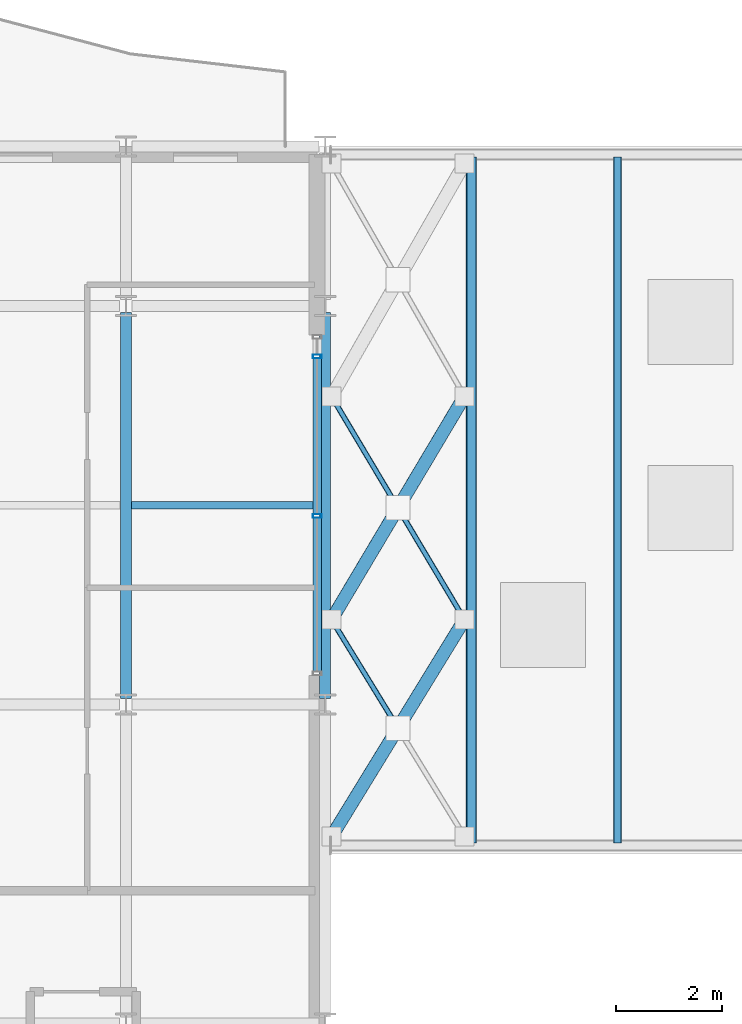
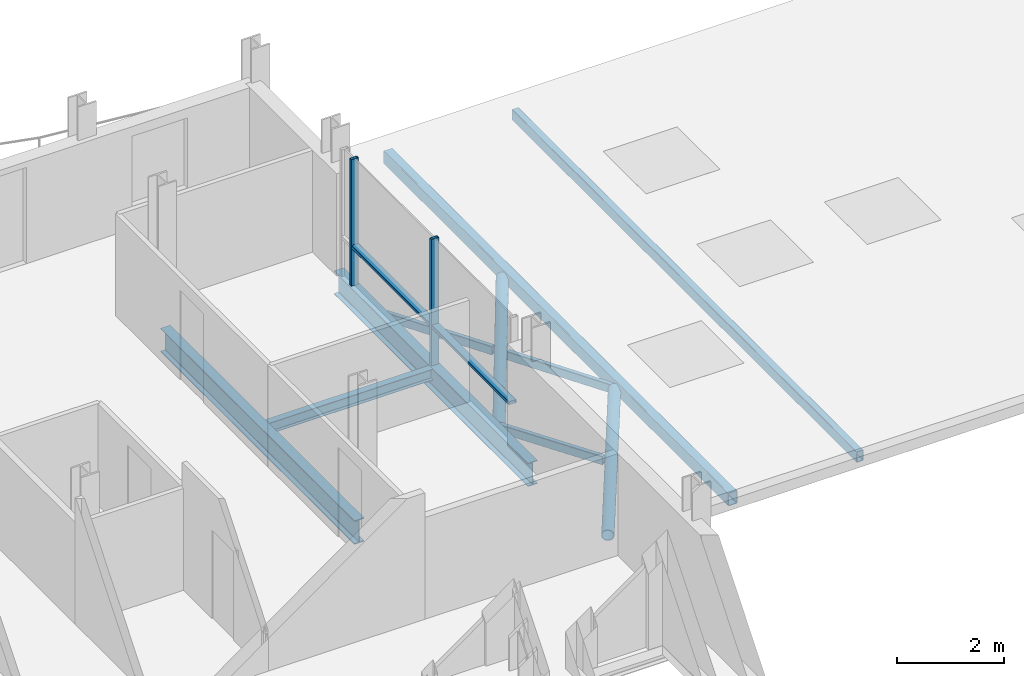
# One storey, part 9 of 33: 11 members, 3 beams, 1 element without a shape of its own.
"""IFC4 building model written with IfcOpenShell, lengths in metres."""

from ifc_helpers import new_model, si_unit, direction, frame, origin, origin_2d, place, context, subcontext, project, spatial, hollow_rectangle, hollow_circle, i_section, extrude, material, layer, layer_set, material_profile, profile_set, type_object, element, aggregate, save


model = new_model("IFC4")

# Units and contexts
model_context = context("Model", 3, precision=1e-05, world=origin(), true_north=direction((0.0, 1.0)))
body_context = subcontext(model_context, "Body", "Model", "MODEL_VIEW")
ifc_project = project(units=[si_unit("LENGTHUNIT", "METRE"), si_unit("AREAUNIT", "SQUARE_METRE"), si_unit("VOLUMEUNIT", "CUBIC_METRE"), si_unit("PLANEANGLEUNIT", "RADIAN"), si_unit("MASSUNIT", "GRAM", prefix="KILO")], contexts=[model_context])

# Site, building, storey
site_placement = place(None, origin())
site = spatial("IfcSite", under=ifc_project, at=site_placement, CompositionType="ELEMENT")
building_placement = place(site_placement, origin())
building = spatial("IfcBuilding", under=site, at=building_placement, Name="Brevholm Reach", CompositionType="ELEMENT")
storey_placement = place(building_placement, frame((0.0, 0.0, 189.39990234375)))
storey = spatial("IfcBuildingStorey", under=building, at=storey_placement, Name="L57", CompositionType="ELEMENT", Elevation=189.39990234375)

# Beams
ifc_material_1 = material(Name="Structural Steel S355J2", Category="steel")
ifc_material_profile_1 = material_profile(ifc_material_1, i_section(OverallWidth=0.14599609375, OverallDepth=0.25146484375, WebThickness=0.006103515625, FlangeThickness=0.008544921875, FilletRadius=0.007568359375, at=origin_2d()), Name="UKB 254x146x31")
ifc_profile_set_1 = profile_set([ifc_material_profile_1], Name="Structural Steel S355J2")
beam_type_1 = type_object("IfcBeamType", Name="BM-B254", PredefinedType="BEAM", material=ifc_profile_set_1)
beam_1_placement = place(storey_placement, frame((18.10546875, 19.75, -0.335693359375), z_axis=(1.0, 0.0, 0.0), x_axis=(0.0, 1.0, 0.0)))
element("IfcBeam", 1, at=beam_1_placement, inside=storey, type_object=beam_type_1, Name="L57 Composite Secondary Floor Beam", PredefinedType="BEAM", context=body_context, shape_type="SweptSolid", body=[
    extrude(i_section(OverallWidth=0.14599609375, OverallDepth=0.25146484375, WebThickness=0.006103515625, FlangeThickness=0.008544921875, FilletRadius=0.007568359375, at=origin_2d()), origin(), (0.0, 0.0, 1.0), 3.539794921875),
])
ifc_material_2 = material(Name="Structural Steel S355J2", Category="steel")
ifc_material_profile_2 = material_profile(ifc_material_2, i_section(OverallWidth=0.209228515625, OverallDepth=0.533203125, WebThickness=0.010009765625, FlangeThickness=0.015625, FilletRadius=0.0126953125, at=origin_2d()), Name="UKB 533x210x92")
ifc_profile_set_2 = profile_set([ifc_material_profile_2], Name="Structural Steel S355J2")
beam_type_2 = type_object("IfcBeamType", Name="BM-SP533", PredefinedType="SPANDREL", material=ifc_profile_set_2)
beam_2_placement = place(storey_placement, frame((21.75, 16.1201171875, -0.4765625), z_axis=(0.0, 1.0, 0.0), x_axis=(-1.0, 0.0, 0.0)))
element("IfcBeam", 2, at=beam_2_placement, inside=storey, type_object=beam_type_2, Name="L57 SP-02 Framing Beam", PredefinedType="SPANDREL", context=body_context, shape_type="SweptSolid", body=[
    extrude(i_section(OverallWidth=0.209228515625, OverallDepth=0.533203125, WebThickness=0.010009765625, FlangeThickness=0.015625, FilletRadius=0.0126953125, at=origin_2d()), origin(), (0.0, 0.0, 1.0), 7.259765625),
])
ifc_material_3 = material(Name="Structural Steel S355J2", Category="steel")
ifc_material_profile_3 = material_profile(ifc_material_3, i_section(OverallWidth=0.210693359375, OverallDepth=0.53955078125, WebThickness=0.01171875, FlangeThickness=0.018798828125, FilletRadius=0.0126953125, at=origin_2d()), Name="UKB 533x210x109")
ifc_profile_set_3 = profile_set([ifc_material_profile_3], Name="Structural Steel S355J2")
beam_type_3 = type_object("IfcBeamType", Name="BM-SP539", PredefinedType="SPANDREL", material=ifc_profile_set_3)
beam_3_placement = place(storey_placement, frame((18.0, 16.1201171875, -0.479736328125), z_axis=(0.0, 1.0, 0.0), x_axis=(-1.0, 0.0, 0.0)))
element("IfcBeam", 3, at=beam_3_placement, inside=storey, type_object=beam_type_3, Name="L57 SP-01B Framing Beam", PredefinedType="SPANDREL", context=body_context, shape_type="SweptSolid", body=[
    extrude(i_section(OverallWidth=0.210693359375, OverallDepth=0.53955078125, WebThickness=0.01171875, FlangeThickness=0.018798828125, FilletRadius=0.0126953125, at=origin_2d()), origin(), (0.0, 0.0, 1.0), 7.259765625),
])

# Curtain wall, members
ifc_material_4 = material(Name="Dark Anodised Aluminium 6063-T6 and Solar-Control Glass", Category="aluminium")
ifc_layer = layer(ifc_material_4, 0.1650390625)
ifc_layer_set = layer_set([ifc_layer], Name="Dark Anodised Aluminium 6063-T6 and Solar-Control Glass")
curtain_wall_type = type_object("IfcCurtainWallType", Name="CW-04", PredefinedType="NOTDEFINED", material=ifc_layer_set)
curtain_wall_placement = place(storey_placement, origin())
curtain_wall = element("IfcCurtainWall", 4, at=curtain_wall_placement, inside=storey, type_object=curtain_wall_type, Name="L57 Curtain Wall CW-04", PredefinedType="NOTDEFINED")
ifc_material_5 = material(Name="Dark Anodised Aluminium 6063-T6", Category="aluminium")
ifc_material_profile_4 = material_profile(ifc_material_5, hollow_rectangle(XDim=0.070068359375, YDim=0.1650390625, WallThickness=0.0048828125, InnerFilletRadius=0.0048828125, OuterFilletRadius=0.010009765625, at=origin_2d()), Name="RHS 165x70x5")
ifc_profile_set_4 = profile_set([ifc_material_profile_4], Name="Dark Anodised Aluminium 6063-T6")
member_type_1 = type_object("IfcMemberType", Name="CWM-165", PredefinedType="MULLION", material=ifc_profile_set_4)
member_1_placement = place(storey_placement, frame((21.60009765625, 19.550048828125, 0.0), z_axis=(0.0, 0.0, 1.0), x_axis=(0.0, 1.0, 0.0)))
member_1 = element("IfcMember", 5, at=member_1_placement, type_object=member_type_1, Name="CM-165 Mullion 2", PredefinedType="MULLION", context=body_context, shape_type="SweptSolid", body=[
    extrude(hollow_rectangle(XDim=0.070068359375, YDim=0.1650390625, WallThickness=0.0048828125, InnerFilletRadius=0.0048828125, OuterFilletRadius=0.010009765625, at=origin_2d()), origin(), (0.0, 0.0, 1.0), 2.89013671875),
])
member_2_placement = place(storey_placement, frame((21.60009765625, 22.550048828125, 0.0), z_axis=(0.0, 0.0, 1.0), x_axis=(0.0, 1.0, 0.0)))
member_2 = element("IfcMember", 6, at=member_2_placement, type_object=member_type_1, Name="CM-165 Mullion 3", PredefinedType="MULLION", context=body_context, shape_type="SweptSolid", body=[
    extrude(hollow_rectangle(XDim=0.070068359375, YDim=0.1650390625, WallThickness=0.0048828125, InnerFilletRadius=0.0048828125, OuterFilletRadius=0.010009765625, at=origin_2d()), origin(), (0.0, 0.0, 1.0), 2.89013671875),
])
ifc_material_6 = material(Name="Dark Anodised Aluminium 6063-T6", Category="aluminium")
ifc_material_profile_5 = material_profile(ifc_material_6, hollow_rectangle(XDim=0.070068359375, YDim=0.1650390625, WallThickness=0.0048828125, InnerFilletRadius=0.0048828125, OuterFilletRadius=0.010009765625, at=origin_2d()), Name="RHS 165x70x5")
ifc_profile_set_5 = profile_set([ifc_material_profile_5], Name="Dark Anodised Aluminium 6063-T6")
member_type_2 = type_object("IfcMemberType", Name="CWT-165", PredefinedType="NOTDEFINED", material=ifc_profile_set_5)
member_3_placement = place(storey_placement, frame((21.60009765625, 16.6201171875, 0.900146484375), z_axis=(0.0, 1.0, 0.0), x_axis=(0.0, 0.0, 1.0)))
member_3 = element("IfcMember", 7, at=member_3_placement, type_object=member_type_2, Name="CT-165 Transom 1.1", ObjectType="TRANSOM", PredefinedType="USERDEFINED", context=body_context, shape_type="SweptSolid", body=[
    extrude(hollow_rectangle(XDim=0.070068359375, YDim=0.1650390625, WallThickness=0.0048828125, InnerFilletRadius=0.0048828125, OuterFilletRadius=0.010009765625, at=origin_2d()), origin(), (0.0, 0.0, 1.0), 2.894775390625),
])
member_4_placement = place(storey_placement, frame((21.60009765625, 19.5849609375, 0.900146484375), z_axis=(0.0, 1.0, 0.0), x_axis=(0.0, 0.0, 1.0)))
member_4 = element("IfcMember", 8, at=member_4_placement, type_object=member_type_2, Name="CT-165 Transom 2.1", ObjectType="TRANSOM", PredefinedType="USERDEFINED", context=body_context, shape_type="SweptSolid", body=[
    extrude(hollow_rectangle(XDim=0.070068359375, YDim=0.1650390625, WallThickness=0.0048828125, InnerFilletRadius=0.0048828125, OuterFilletRadius=0.010009765625, at=origin_2d()), origin(), (0.0, 0.0, 1.0), 2.929931640625),
])
aggregate(curtain_wall, [member_1, member_2, member_3, member_4])

# Members
ifc_material_7 = material(Name="Structural Steel S355J2H", Category="steel")
ifc_material_profile_6 = material_profile(ifc_material_7, hollow_circle(Radius=0.122314453125, WallThickness=0.010009765625, at=origin_2d()), Name="CHS 244.5x10")
ifc_profile_set_6 = profile_set([ifc_material_profile_6], Name="Structural Steel S355J2H")
member_type_3 = type_object("IfcMemberType", Name="MEM-BR-CHS244", PredefinedType="BRACE", material=ifc_profile_set_6)
member_5_placement = place(storey_placement, frame((21.8701171875, 13.52001953125, -0.35498046875), z_axis=(0.522456769718, 0.852665774953, 0.0), x_axis=(-0.852665774953, 0.522456769718, 0.0)))
element("IfcMember", 9, at=member_5_placement, inside=storey, type_object=member_type_3, Name="L57 Skylight Plan Wind Brace 1", PredefinedType="BRACE", context=body_context, shape_type="SweptSolid", body=[
    extrude(hollow_circle(Radius=0.122314453125, WallThickness=0.010009765625, at=origin_2d()), origin(), (0.0, 0.0, 1.0), 4.78515625),
])
member_6_placement = place(storey_placement, frame((21.8701171875, 17.60009765625, -0.35498046875), z_axis=(0.511488250512, 0.859290270856, 0.0), x_axis=(-0.859290270856, 0.511488250512, 0.0)))
element("IfcMember", 10, at=member_6_placement, inside=storey, type_object=member_type_3, Name="L57 Skylight Plan Wind Brace 2", PredefinedType="BRACE", context=body_context, shape_type="SweptSolid", body=[
    extrude(hollow_circle(Radius=0.122314453125, WallThickness=0.010009765625, at=origin_2d()), origin(), (0.0, 0.0, 1.0), 4.8876953125),
])
ifc_material_8 = material(Name="Structural Steel S355J2H", Category="steel")
ifc_material_profile_7 = material_profile(ifc_material_8, hollow_rectangle(XDim=0.10009765625, YDim=0.199951171875, WallThickness=0.008056640625, InnerFilletRadius=0.008056640625, OuterFilletRadius=0.01611328125, at=origin_2d()), Name="RHS 200x100x8")
ifc_profile_set_7 = profile_set([ifc_material_profile_7], Name="Structural Steel S355J2H")
member_type_4 = type_object("IfcMemberType", Name="MEM-BR-RHS200", PredefinedType="BRACE", material=ifc_profile_set_7)
member_7_placement = place(storey_placement, frame((21.8701171875, 17.60009765625, -0.35498046875), z_axis=(0.522369729147, -0.852719101505, 0.0), x_axis=(0.852719101505, 0.522369729147, 0.0)))
element("IfcMember", 11, at=member_7_placement, inside=storey, type_object=member_type_4, Name="L57 Skylight Secondary Wind Tie 1A", PredefinedType="BRACE", context=body_context, shape_type="SweptSolid", body=[
    extrude(hollow_rectangle(XDim=0.10009765625, YDim=0.199951171875, WallThickness=0.008056640625, InnerFilletRadius=0.008056640625, OuterFilletRadius=0.01611328125, at=origin_2d()), origin(), (0.0, 0.0, 1.0), 2.232666015625),
])
member_8_placement = place(storey_placement, frame((21.8701171875, 21.800048828125, -0.35498046875), z_axis=(0.511395529399, -0.859345455862, 0.0), x_axis=(0.859345455862, 0.511395529399, 0.0)))
element("IfcMember", 12, at=member_8_placement, inside=storey, type_object=member_type_4, Name="L57 Skylight Secondary Wind Tie 2A", PredefinedType="BRACE", context=body_context, shape_type="SweptSolid", body=[
    extrude(hollow_rectangle(XDim=0.10009765625, YDim=0.199951171875, WallThickness=0.008056640625, InnerFilletRadius=0.008056640625, OuterFilletRadius=0.01611328125, at=origin_2d()), origin(), (0.0, 0.0, 1.0), 2.283935546875),
])
member_9_placement = place(storey_placement, frame((23.201904296875, 19.5625, -0.35498046875), z_axis=(0.511521446917, -0.859270509993, 0.0), x_axis=(0.859270509993, 0.511521446917, 0.0)))
element("IfcMember", 13, at=member_9_placement, inside=storey, type_object=member_type_4, Name="L57 Skylight Secondary Wind Tie 2B", PredefinedType="BRACE", context=body_context, shape_type="SweptSolid", body=[
    extrude(hollow_rectangle(XDim=0.10009765625, YDim=0.199951171875, WallThickness=0.008056640625, InnerFilletRadius=0.008056640625, OuterFilletRadius=0.01611328125, at=origin_2d()), origin(), (0.0, 0.0, 1.0), 2.28369140625),
])
ifc_material_9 = material(Name="Structural Steel S355J2H", Category="steel")
ifc_material_profile_8 = material_profile(ifc_material_9, hollow_rectangle(XDim=0.14990234375, YDim=0.25, WallThickness=0.010009765625, InnerFilletRadius=0.010009765625, OuterFilletRadius=0.02001953125, at=origin_2d()), Name="RHS 250x150x10")
ifc_profile_set_8 = profile_set([ifc_material_profile_8], Name="Structural Steel S355J2H")
member_type_5 = type_object("IfcMemberType", Name="MEM-CH-RHS250", PredefinedType="CHORD", material=ifc_profile_set_8)
member_10_placement = place(storey_placement, frame((27.25, 13.39990234375, -0.35498046875), z_axis=(0.0, 1.0, 0.0), x_axis=(-1.0, 0.0, 0.0)))
element("IfcMember", 14, at=member_10_placement, inside=storey, type_object=member_type_5, Name="L57 Atrium Skylight Purlin Chord 2", PredefinedType="CHORD", context=body_context, shape_type="SweptSolid", body=[
    extrude(hollow_rectangle(XDim=0.14990234375, YDim=0.25, WallThickness=0.010009765625, InnerFilletRadius=0.010009765625, OuterFilletRadius=0.02001953125, at=origin_2d()), origin(), (0.0, 0.0, 1.0), 12.900146484375),
])
ifc_material_10 = material(Name="Structural Steel S355J2H", Category="steel")
ifc_material_profile_9 = material_profile(ifc_material_10, hollow_rectangle(XDim=0.199951171875, YDim=0.300048828125, WallThickness=0.012451171875, InnerFilletRadius=0.011962890625, OuterFilletRadius=0.02392578125, at=origin_2d()), Name="RHS 300x200x12.5")
ifc_profile_set_9 = profile_set([ifc_material_profile_9], Name="Structural Steel S355J2H")
member_type_6 = type_object("IfcMemberType", Name="MEM-CH-RHS300", PredefinedType="CHORD", material=ifc_profile_set_9)
member_11_placement = place(storey_placement, frame((24.5, 13.39990234375, -0.35498046875), z_axis=(0.0, 1.0, 0.0), x_axis=(-1.0, 0.0, 0.0)))
element("IfcMember", 15, at=member_11_placement, inside=storey, type_object=member_type_6, Name="L57 Atrium Skylight Purlin Chord 1", PredefinedType="CHORD", context=body_context, shape_type="SweptSolid", body=[
    extrude(hollow_rectangle(XDim=0.199951171875, YDim=0.300048828125, WallThickness=0.012451171875, InnerFilletRadius=0.011962890625, OuterFilletRadius=0.02392578125, at=origin_2d()), origin(), (0.0, 0.0, 1.0), 12.900146484375),
])

save(model, "model.ifc")
